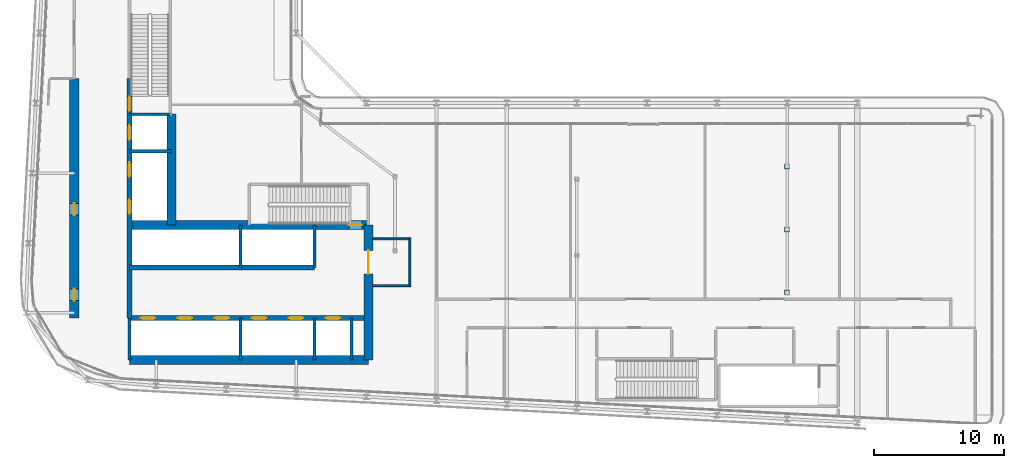
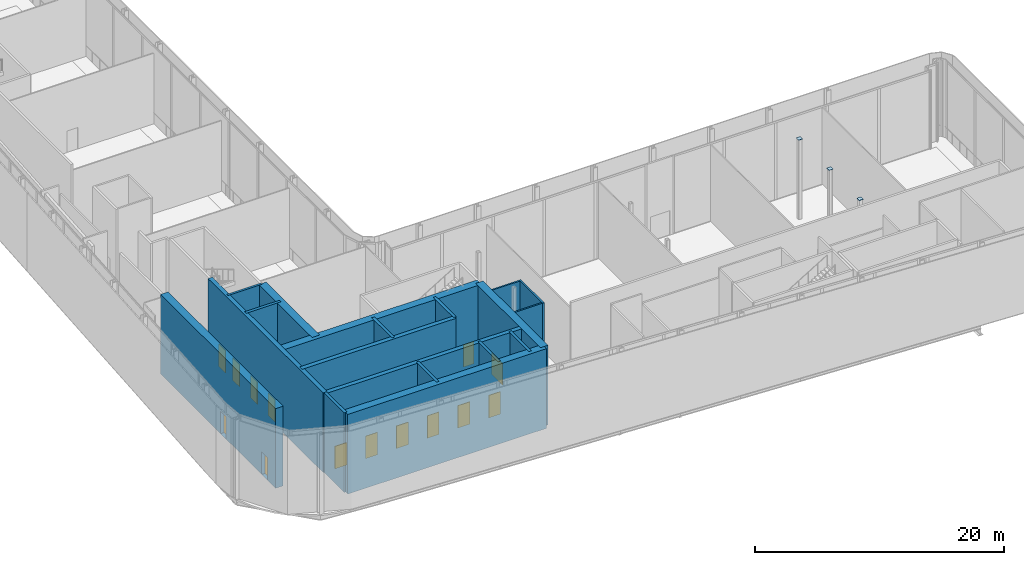
# One storey, part 26 of 38: 19 walls, 14 doors, 3 plates, 14 openings.
"""IFC4 building model written with IfcOpenShell, lengths in metres."""

from ifc_helpers import new_model, si_unit, direction, frame, frame_2d, origin, origin_2d, place, context, subcontext, project, spatial, rectangle, extrude, source, transform, mapped, material, layer, layer_set, type_object, element, fill, save


model = new_model("IFC4")

# Units and contexts
model_context = context("Model", 3, precision=1e-05, world=origin(), true_north=direction((0.0, 1.0)))
body_context = subcontext(model_context, "Body", "Model", "MODEL_VIEW")
ifc_project = project(units=[si_unit("LENGTHUNIT", "METRE"), si_unit("AREAUNIT", "SQUARE_METRE"), si_unit("VOLUMEUNIT", "CUBIC_METRE"), si_unit("PLANEANGLEUNIT", "RADIAN"), si_unit("MASSUNIT", "GRAM", prefix="KILO")], contexts=[model_context])

# Site, building, storey
site_placement = place(None, origin())
site = spatial("IfcSite", under=ifc_project, at=site_placement, CompositionType="ELEMENT")
building_placement = place(site_placement, origin())
building = spatial("IfcBuilding", under=site, at=building_placement, Name="Kheshtan School and Residences Tower", CompositionType="ELEMENT")
storey_placement = place(building_placement, frame((0.0, 0.0, 203.300048828125)))
storey = spatial("IfcBuildingStorey", under=building, at=storey_placement, Name="L48", CompositionType="ELEMENT", Elevation=203.300048828125)

# Plates
ifc_material_1 = material(Name="Steel ASTM A992 Grade 50", Category="steel")
ifc_layer_1 = layer(ifc_material_1, 0.02490234375)
ifc_layer_set_1 = layer_set([ifc_layer_1], Name="End plate 25 HSS 305x305x15.9 ASTM A992 Grade 50")
plate_type = type_object("IfcPlateType", Name="End plate 25 HSS 305x305x15.9 ASTM A992 Grade 50", PredefinedType="SHEET", material=ifc_layer_set_1)
for number, where, z_axis, x_axis, name in (
    (1, (85.39990234375, 31.0048828125, 7.800048828125), (0.0, 0.0, 1.0), (1.0, 0.0, 0.0), "End plate"),
    (2, (85.39990234375, 35.8701171875, 7.800048828125), (0.0, 0.0, 1.0), (1.0, 0.0, 0.0), "End plate"),
    (3, (85.39990234375, 40.735107421875, 7.800048828125), (0.0, 0.0, 1.0), (1.0, 0.0, 0.0), "End plate"),
):
    element("IfcPlate", number, at=place(storey_placement, frame(where, z_axis=z_axis, x_axis=x_axis)), inside=storey, type_object=plate_type, Name=name, PredefinedType="SHEET", context=body_context, shape_type="SweptSolid", body=[
        extrude(rectangle(XDim=0.385009765625, YDim=0.385009765625, at=origin_2d()), origin(), (0.0, 0.0, 1.0), 0.02490234375),
    ])

# Wall, openings, doors
ifc_material_2 = material(Name="Concrete C50/60", Category="concrete")
ifc_layer_2 = layer(ifc_material_2, 0.39990234375)
ifc_layer_set_2 = layer_set([ifc_layer_2], Name="Core wall 400 Concrete C50/60")
wall_type_1 = type_object("IfcWallType", Name="Core wall 400 Concrete C50/60", PredefinedType="SHEAR", material=ifc_layer_set_2)
wall_1_placement = place(storey_placement, frame((34.75, 29.050048828125, 0.0), z_axis=(0.0, 0.0, 1.0), x_axis=(1.0, 0.0, 0.0)))
wall_1 = element("IfcWall", 4, at=wall_1_placement, inside=storey, type_object=wall_type_1, Name="Core wall CW-HALL-S1", PredefinedType="SHEAR", context=body_context, shape_type="SweptSolid", body=[
    extrude(rectangle(XDim=18.39990234375, YDim=0.39990234375, at=frame_2d((9.199951171875, 0.0))), origin(), (0.0, 0.0, 1.0), 7.800048828125),
])
opening_1_placement = place(wall_1_placement, frame((0.875, 0.0, 0.0)))
opening_1 = element("IfcOpeningElement", 5, at=opening_1_placement, cuts=wall_1, Name="Opening LD", PredefinedType="OPENING", context=body_context, shape_type="SweptSolid", body=[
    extrude(rectangle(XDim=1.10009765625, YDim=2.199951171875, at=frame_2d((0.550048828125, 1.10009765625))), frame((0.0, 0.2099609375, 0.0), z_axis=(0.0, -1.0, 0.0), x_axis=(1.0, 0.0, 0.0)), (0.0, 0.0, 1.0), 0.419921875),
])
opening_2_placement = place(wall_1_placement, frame((3.72509765625, 0.0, 0.0)))
opening_2 = element("IfcOpeningElement", 6, at=opening_2_placement, cuts=wall_1, Name="Opening LD", PredefinedType="OPENING", context=body_context, shape_type="SweptSolid", body=[
    extrude(rectangle(XDim=1.10009765625, YDim=2.199951171875, at=frame_2d((0.550048828125, 1.10009765625))), frame((0.0, 0.2099609375, 0.0), z_axis=(0.0, -1.0, 0.0), x_axis=(1.0, 0.0, 0.0)), (0.0, 0.0, 1.0), 0.419921875),
])
opening_3_placement = place(wall_1_placement, frame((6.574951171875, 0.0, 0.0)))
opening_3 = element("IfcOpeningElement", 7, at=opening_3_placement, cuts=wall_1, Name="Opening LD", PredefinedType="OPENING", context=body_context, shape_type="SweptSolid", body=[
    extrude(rectangle(XDim=1.10009765625, YDim=2.199951171875, at=frame_2d((0.550048828125, 1.10009765625))), frame((0.0, 0.2099609375, 0.0), z_axis=(0.0, -1.0, 0.0), x_axis=(1.0, 0.0, 0.0)), (0.0, 0.0, 1.0), 0.419921875),
])
opening_4_placement = place(wall_1_placement, frame((9.425048828125, 0.0, 0.0)))
opening_4 = element("IfcOpeningElement", 8, at=opening_4_placement, cuts=wall_1, Name="Opening LD", PredefinedType="OPENING", context=body_context, shape_type="SweptSolid", body=[
    extrude(rectangle(XDim=1.10009765625, YDim=2.199951171875, at=frame_2d((0.550048828125, 1.10009765625))), frame((0.0, 0.2099609375, 0.0), z_axis=(0.0, -1.0, 0.0), x_axis=(1.0, 0.0, 0.0)), (0.0, 0.0, 1.0), 0.419921875),
])
opening_5_placement = place(wall_1_placement, frame((12.27490234375, 0.0, 0.0)))
opening_5 = element("IfcOpeningElement", 9, at=opening_5_placement, cuts=wall_1, Name="Opening LD", PredefinedType="OPENING", context=body_context, shape_type="SweptSolid", body=[
    extrude(rectangle(XDim=1.10009765625, YDim=2.199951171875, at=frame_2d((0.550048828125, 1.10009765625))), frame((0.0, 0.2099609375, 0.0), z_axis=(0.0, -1.0, 0.0), x_axis=(1.0, 0.0, 0.0)), (0.0, 0.0, 1.0), 0.419921875),
])
opening_6_placement = place(wall_1_placement, frame((15.125, 0.0, 0.0)))
opening_6 = element("IfcOpeningElement", 10, at=opening_6_placement, cuts=wall_1, Name="Opening LD", PredefinedType="OPENING", context=body_context, shape_type="SweptSolid", body=[
    extrude(rectangle(XDim=1.10009765625, YDim=2.199951171875, at=frame_2d((0.550048828125, 1.10009765625))), frame((0.0, 0.2099609375, 0.0), z_axis=(0.0, -1.0, 0.0), x_axis=(1.0, 0.0, 0.0)), (0.0, 0.0, 1.0), 0.419921875),
])
ifc_material_3 = material(Name="Stainless steel door leaves", Category="steel")
door_type_1 = type_object("IfcDoorType", Name="Lift landing door 1100", OperationType="SLIDING_TO_LEFT", PredefinedType="DOOR", material=ifc_material_3)
shared_shape_1 = source(origin(), body_context, "Body", "SweptSolid", [
    extrude(rectangle(XDim=1.10009765625, YDim=2.199951171875, at=frame_2d((0.550048828125, 1.10009765625))), frame((0.0, 0.02490234375, 0.0), z_axis=(0.0, -1.0, 0.0), x_axis=(1.0, 0.0, 0.0)), (0.0, 0.0, 1.0), 0.050048828125),
])
door_1_placement = place(opening_1_placement, origin())
door_1 = element("IfcDoor", 11, at=door_1_placement, inside=storey, type_object=door_type_1, Name="Lift P7 landing door", OperationType="SLIDING_TO_LEFT", OverallHeight=2.199951171875, OverallWidth=1.10009765625, PredefinedType="DOOR", context=body_context, shape_type="MappedRepresentation", body=[
    mapped(shared_shape_1, transform((0.0, 0.0, 0.0), x_axis=(1.0, 0.0, 0.0), y_axis=(0.0, 1.0, 0.0), z_axis=(0.0, 0.0, 1.0), scale=1.0)),
])
fill(opening_1, door_1)
door_2_placement = place(opening_2_placement, origin())
door_2 = element("IfcDoor", 12, at=door_2_placement, inside=storey, type_object=door_type_1, Name="Lift P8 landing door", OperationType="SLIDING_TO_LEFT", OverallHeight=2.199951171875, OverallWidth=1.10009765625, PredefinedType="DOOR", context=body_context, shape_type="MappedRepresentation", body=[
    mapped(shared_shape_1, transform((0.0, 0.0, 0.0), x_axis=(1.0, 0.0, 0.0), y_axis=(0.0, 1.0, 0.0), z_axis=(0.0, 0.0, 1.0), scale=1.0)),
])
fill(opening_2, door_2)
door_3_placement = place(opening_3_placement, origin())
door_3 = element("IfcDoor", 13, at=door_3_placement, inside=storey, type_object=door_type_1, Name="Lift P9 landing door", OperationType="SLIDING_TO_LEFT", OverallHeight=2.199951171875, OverallWidth=1.10009765625, PredefinedType="DOOR", context=body_context, shape_type="MappedRepresentation", body=[
    mapped(shared_shape_1, transform((0.0, 0.0, 0.0), x_axis=(1.0, 0.0, 0.0), y_axis=(0.0, 1.0, 0.0), z_axis=(0.0, 0.0, 1.0), scale=1.0)),
])
fill(opening_3, door_3)
door_4_placement = place(opening_4_placement, origin())
door_4 = element("IfcDoor", 14, at=door_4_placement, inside=storey, type_object=door_type_1, Name="Lift P10 landing door", OperationType="SLIDING_TO_LEFT", OverallHeight=2.199951171875, OverallWidth=1.10009765625, PredefinedType="DOOR", context=body_context, shape_type="MappedRepresentation", body=[
    mapped(shared_shape_1, transform((0.0, 0.0, 0.0), x_axis=(1.0, 0.0, 0.0), y_axis=(0.0, 1.0, 0.0), z_axis=(0.0, 0.0, 1.0), scale=1.0)),
])
fill(opening_4, door_4)
door_5_placement = place(opening_5_placement, origin())
door_5 = element("IfcDoor", 15, at=door_5_placement, inside=storey, type_object=door_type_1, Name="Lift P11 landing door", OperationType="SLIDING_TO_LEFT", OverallHeight=2.199951171875, OverallWidth=1.10009765625, PredefinedType="DOOR", context=body_context, shape_type="MappedRepresentation", body=[
    mapped(shared_shape_1, transform((0.0, 0.0, 0.0), x_axis=(1.0, 0.0, 0.0), y_axis=(0.0, 1.0, 0.0), z_axis=(0.0, 0.0, 1.0), scale=1.0)),
])
fill(opening_5, door_5)
door_6_placement = place(opening_6_placement, origin())
door_6 = element("IfcDoor", 16, at=door_6_placement, inside=storey, type_object=door_type_1, Name="Lift FFL2 landing door", OperationType="SLIDING_TO_LEFT", OverallHeight=2.199951171875, OverallWidth=1.10009765625, PredefinedType="DOOR", context=body_context, shape_type="MappedRepresentation", body=[
    mapped(shared_shape_1, transform((0.0, 0.0, 0.0), x_axis=(1.0, 0.0, 0.0), y_axis=(0.0, 1.0, 0.0), z_axis=(0.0, 0.0, 1.0), scale=1.0)),
])
fill(opening_6, door_6)

# Wall
wall_2_placement = place(storey_placement, frame((34.75, 32.949951171875, 0.0), z_axis=(0.0, 0.0, 1.0), x_axis=(1.0, 0.0, 0.0)))
element("IfcWall", 17, at=wall_2_placement, inside=storey, type_object=wall_type_1, Name="Core wall CW-HALL-S2", PredefinedType="SHEAR", context=body_context, shape_type="SweptSolid", body=[
    extrude(rectangle(XDim=14.25, YDim=0.39990234375, at=frame_2d((7.125, 0.0))), origin(), (0.0, 0.0, 1.0), 7.800048828125),
])

# Wall, openings, doors
wall_3_placement = place(storey_placement, frame((34.75, 29.050048828125, 0.0), z_axis=(0.0, 0.0, 1.0), x_axis=(0.0, 1.0, 0.0)))
wall_3 = element("IfcWall", 18, at=wall_3_placement, inside=storey, type_object=wall_type_1, Name="Core wall CW-HALL-W1", PredefinedType="SHEAR", context=body_context, shape_type="SweptSolid", body=[
    extrude(rectangle(XDim=18.449951171875, YDim=0.39990234375, at=frame_2d((9.22509765625, 0.0))), origin(), (0.0, 0.0, 1.0), 7.800048828125),
])
opening_7_placement = place(wall_3_placement, frame((8.02490234375, 0.0, 0.0)))
opening_7 = element("IfcOpeningElement", 19, at=opening_7_placement, cuts=wall_3, Name="Opening LD", PredefinedType="OPENING", context=body_context, shape_type="SweptSolid", body=[
    extrude(rectangle(XDim=1.10009765625, YDim=2.199951171875, at=frame_2d((0.550048828125, 1.10009765625))), frame((0.0, 0.2099609375, 0.0), z_axis=(0.0, -1.0, 0.0), x_axis=(1.0, 0.0, 0.0)), (0.0, 0.0, 1.0), 0.419921875),
])
opening_8_placement = place(wall_3_placement, frame((10.875, 0.0, 0.0)))
opening_8 = element("IfcOpeningElement", 20, at=opening_8_placement, cuts=wall_3, Name="Opening LD", PredefinedType="OPENING", context=body_context, shape_type="SweptSolid", body=[
    extrude(rectangle(XDim=1.10009765625, YDim=2.199951171875, at=frame_2d((0.550048828125, 1.10009765625))), frame((0.0, 0.2099609375, 0.0), z_axis=(0.0, -1.0, 0.0), x_axis=(1.0, 0.0, 0.0)), (0.0, 0.0, 1.0), 0.419921875),
])
opening_9_placement = place(wall_3_placement, frame((13.72509765625, 0.0, 0.0)))
opening_9 = element("IfcOpeningElement", 21, at=opening_9_placement, cuts=wall_3, Name="Opening LD", PredefinedType="OPENING", context=body_context, shape_type="SweptSolid", body=[
    extrude(rectangle(XDim=1.10009765625, YDim=2.199951171875, at=frame_2d((0.550048828125, 1.10009765625))), frame((0.0, 0.2099609375, 0.0), z_axis=(0.0, -1.0, 0.0), x_axis=(1.0, 0.0, 0.0)), (0.0, 0.0, 1.0), 0.419921875),
])
opening_10_placement = place(wall_3_placement, frame((15.949951171875, 0.0, 0.0)))
opening_10 = element("IfcOpeningElement", 22, at=opening_10_placement, cuts=wall_3, Name="Opening ST2D", PredefinedType="OPENING", context=body_context, shape_type="SweptSolid", body=[
    extrude(rectangle(XDim=1.10009765625, YDim=2.199951171875, at=frame_2d((0.550048828125, 1.10009765625))), frame((0.0, 0.2099609375, 0.0), z_axis=(0.0, -1.0, 0.0), x_axis=(1.0, 0.0, 0.0)), (0.0, 0.0, 1.0), 0.419921875),
])
door_7_placement = place(opening_7_placement, origin())
door_7 = element("IfcDoor", 23, at=door_7_placement, inside=storey, type_object=door_type_1, Name="Lift SV1 landing door", OperationType="SLIDING_TO_LEFT", OverallHeight=2.199951171875, OverallWidth=1.10009765625, PredefinedType="DOOR", context=body_context, shape_type="MappedRepresentation", body=[
    mapped(shared_shape_1, transform((0.0, 0.0, 0.0), x_axis=(1.0, 0.0, 0.0), y_axis=(0.0, 1.0, 0.0), z_axis=(0.0, 0.0, 1.0), scale=1.0)),
])
fill(opening_7, door_7)
door_8_placement = place(opening_8_placement, origin())
door_8 = element("IfcDoor", 24, at=door_8_placement, inside=storey, type_object=door_type_1, Name="Lift SV2 landing door", OperationType="SLIDING_TO_LEFT", OverallHeight=2.199951171875, OverallWidth=1.10009765625, PredefinedType="DOOR", context=body_context, shape_type="MappedRepresentation", body=[
    mapped(shared_shape_1, transform((0.0, 0.0, 0.0), x_axis=(1.0, 0.0, 0.0), y_axis=(0.0, 1.0, 0.0), z_axis=(0.0, 0.0, 1.0), scale=1.0)),
])
fill(opening_8, door_8)
door_9_placement = place(opening_9_placement, origin())
door_9 = element("IfcDoor", 25, at=door_9_placement, inside=storey, type_object=door_type_1, Name="Lift FFL1 landing door", OperationType="SLIDING_TO_LEFT", OverallHeight=2.199951171875, OverallWidth=1.10009765625, PredefinedType="DOOR", context=body_context, shape_type="MappedRepresentation", body=[
    mapped(shared_shape_1, transform((0.0, 0.0, 0.0), x_axis=(1.0, 0.0, 0.0), y_axis=(0.0, 1.0, 0.0), z_axis=(0.0, 0.0, 1.0), scale=1.0)),
])
fill(opening_9, door_9)
ifc_material_4 = material(Name="Steel door leaf, galvanised", Category="steel")
door_type_2 = type_object("IfcDoorType", Name="Stair door 1100 steel 90 min", OperationType="SINGLE_SWING_LEFT", PredefinedType="DOOR", material=ifc_material_4)
shared_shape_2 = source(origin(), body_context, "Body", "SweptSolid", [
    extrude(rectangle(XDim=1.10009765625, YDim=2.199951171875, at=frame_2d((0.550048828125, 1.10009765625))), frame((0.0, 0.02490234375, 0.0), z_axis=(0.0, -1.0, 0.0), x_axis=(1.0, 0.0, 0.0)), (0.0, 0.0, 1.0), 0.050048828125),
])
door_10_placement = place(opening_10_placement, origin())
door_10 = element("IfcDoor", 26, at=door_10_placement, inside=storey, type_object=door_type_2, Name="Stair ST2 door", OperationType="SINGLE_SWING_RIGHT", OverallHeight=2.199951171875, OverallWidth=1.10009765625, PredefinedType="DOOR", context=body_context, shape_type="MappedRepresentation", body=[
    mapped(shared_shape_2, transform((0.0, 0.0, 0.0), x_axis=(1.0, 0.0, 0.0), y_axis=(0.0, 1.0, 0.0), z_axis=(0.0, 0.0, 1.0), scale=1.0)),
])
fill(opening_10, door_10)

# Wall
ifc_material_5 = material(Name="Concrete C70/85", Category="concrete")
ifc_layer_3 = layer(ifc_material_5, 0.699951171875)
ifc_layer_set_3 = layer_set([ifc_layer_3], Name="Core wall 700 Concrete C70/85")
wall_type_2 = type_object("IfcWallType", Name="Core wall 700 Concrete C70/85", PredefinedType="SHEAR", material=ifc_layer_set_3)
wall_4_placement = place(storey_placement, frame((34.75, 25.800048828125, 0.0), z_axis=(0.0, 0.0, 1.0), x_axis=(1.0, 0.0, 0.0)))
element("IfcWall", 27, at=wall_4_placement, inside=storey, type_object=wall_type_2, Name="Core wall CW-REAR-S", PredefinedType="SHEAR", context=body_context, shape_type="SweptSolid", body=[
    extrude(rectangle(XDim=18.39990234375, YDim=0.699951171875, at=frame_2d((9.199951171875, 0.0))), origin(), (0.0, 0.0, 1.0), 7.800048828125),
])

# Wall, opening, door
wall_5_placement = place(storey_placement, frame((34.75, 36.199951171875, 0.0), z_axis=(0.0, 0.0, 1.0), x_axis=(1.0, 0.0, 0.0)))
wall_5 = element("IfcWall", 28, at=wall_5_placement, inside=storey, type_object=wall_type_2, Name="Core wall CW-FRONT-S", PredefinedType="SHEAR", context=body_context, shape_type="SweptSolid", body=[
    extrude(rectangle(XDim=18.39990234375, YDim=0.699951171875, at=frame_2d((9.199951171875, 0.0))), origin(), (0.0, 0.0, 1.0), 7.800048828125),
])
opening_11_placement = place(wall_5_placement, frame((16.89990234375, 0.0, 0.0)))
opening_11 = element("IfcOpeningElement", 29, at=opening_11_placement, cuts=wall_5, Name="Opening ST1D", PredefinedType="OPENING", context=body_context, shape_type="SweptSolid", body=[
    extrude(rectangle(XDim=1.0, YDim=2.199951171875, at=frame_2d((0.5, 1.10009765625))), frame((0.0, 0.35986328125, 0.0), z_axis=(0.0, -1.0, 0.0), x_axis=(1.0, 0.0, 0.0)), (0.0, 0.0, 1.0), 0.719970703125),
])
shared_shape_3 = source(origin(), body_context, "Body", "SweptSolid", [
    extrude(rectangle(XDim=1.0, YDim=2.199951171875, at=frame_2d((0.5, 1.10009765625))), frame((0.0, 0.02490234375, 0.0), z_axis=(0.0, -1.0, 0.0), x_axis=(1.0, 0.0, 0.0)), (0.0, 0.0, 1.0), 0.050048828125),
])
door_11_placement = place(opening_11_placement, origin())
door_11 = element("IfcDoor", 30, at=door_11_placement, inside=storey, type_object=door_type_2, Name="Stair ST1 door", OperationType="SINGLE_SWING_RIGHT", OverallHeight=2.199951171875, OverallWidth=1.0, PredefinedType="DOOR", context=body_context, shape_type="MappedRepresentation", body=[
    mapped(shared_shape_3, transform((0.0, 0.0, 0.0), x_axis=(1.0, 0.0, 0.0), y_axis=(0.0, 1.0, 0.0), z_axis=(0.0, 0.0, 1.0), scale=1.0)),
])
fill(opening_11, door_11)

# Wall
wall_6_placement = place(storey_placement, frame((38.0, 36.199951171875, 0.0), z_axis=(0.0, 0.0, 1.0), x_axis=(0.0, 1.0, 0.0)))
element("IfcWall", 31, at=wall_6_placement, inside=storey, type_object=wall_type_2, Name="Core wall CW-FRONT-W", PredefinedType="SHEAR", context=body_context, shape_type="SweptSolid", body=[
    extrude(rectangle(XDim=8.550048828125, YDim=0.699951171875, at=frame_2d((4.27490234375, 0.0))), origin(), (0.0, 0.0, 1.0), 7.800048828125),
])

# Wall, openings, doors
wall_7_placement = place(storey_placement, frame((30.5, 29.050048828125, 0.0), z_axis=(0.0, 0.0, 1.0), x_axis=(0.0, 1.0, 0.0)))
wall_7 = element("IfcWall", 32, at=wall_7_placement, inside=storey, type_object=wall_type_2, Name="Core wall CW-REAR-W", PredefinedType="SHEAR", context=body_context, shape_type="SweptSolid", body=[
    extrude(rectangle(XDim=18.449951171875, YDim=0.699951171875, at=frame_2d((9.22509765625, 0.0))), origin(), (0.0, 0.0, 1.0), 7.800048828125),
])
opening_12_placement = place(wall_7_placement, frame((1.340087890625, 0.0, 0.0)))
opening_12 = element("IfcOpeningElement", 33, at=opening_12_placement, cuts=wall_7, Name="Opening SR90", PredefinedType="OPENING", context=body_context, shape_type="SweptSolid", body=[
    extrude(rectangle(XDim=0.89990234375, YDim=2.199951171875, at=frame_2d((0.449951171875, 1.10009765625))), frame((0.0, 0.35986328125, 0.0), z_axis=(0.0, -1.0, 0.0), x_axis=(1.0, 0.0, 0.0)), (0.0, 0.0, 1.0), 0.719970703125),
])
opening_13_placement = place(wall_7_placement, frame((7.925048828125, 0.0, 0.0)))
opening_13 = element("IfcOpeningElement", 34, at=opening_13_placement, cuts=wall_7, Name="Opening SR90", PredefinedType="OPENING", context=body_context, shape_type="SweptSolid", body=[
    extrude(rectangle(XDim=0.89990234375, YDim=2.199951171875, at=frame_2d((0.449951171875, 1.10009765625))), frame((0.0, 0.35986328125, 0.0), z_axis=(0.0, -1.0, 0.0), x_axis=(1.0, 0.0, 0.0)), (0.0, 0.0, 1.0), 0.719970703125),
])
door_type_3 = type_object("IfcDoorType", Name="Service room door 900 steel 90 min", OperationType="SINGLE_SWING_LEFT", PredefinedType="DOOR", material=ifc_material_4)
shared_shape_4 = source(origin(), body_context, "Body", "SweptSolid", [
    extrude(rectangle(XDim=0.89990234375, YDim=2.199951171875, at=frame_2d((0.449951171875, 1.10009765625))), frame((0.0, 0.02490234375, 0.0), z_axis=(0.0, -1.0, 0.0), x_axis=(1.0, 0.0, 0.0)), (0.0, 0.0, 1.0), 0.050048828125),
])
door_12_placement = place(opening_12_placement, origin())
door_12 = element("IfcDoor", 35, at=door_12_placement, inside=storey, type_object=door_type_3, Name="Service room door", OperationType="SINGLE_SWING_LEFT", OverallHeight=2.199951171875, OverallWidth=0.89990234375, PredefinedType="DOOR", context=body_context, shape_type="MappedRepresentation", body=[
    mapped(shared_shape_4, transform((0.0, 0.0, 0.0), x_axis=(1.0, 0.0, 0.0), y_axis=(0.0, 1.0, 0.0), z_axis=(0.0, 0.0, 1.0), scale=1.0)),
])
fill(opening_12, door_12)
door_13_placement = place(opening_13_placement, origin())
door_13 = element("IfcDoor", 36, at=door_13_placement, inside=storey, type_object=door_type_3, Name="Service room door", OperationType="SINGLE_SWING_LEFT", OverallHeight=2.199951171875, OverallWidth=0.89990234375, PredefinedType="DOOR", context=body_context, shape_type="MappedRepresentation", body=[
    mapped(shared_shape_4, transform((0.0, 0.0, 0.0), x_axis=(1.0, 0.0, 0.0), y_axis=(0.0, 1.0, 0.0), z_axis=(0.0, 0.0, 1.0), scale=1.0)),
])
fill(opening_13, door_13)

# Wall, opening, door
wall_8_placement = place(storey_placement, frame((53.14990234375, 25.800048828125, 0.0), z_axis=(0.0, 0.0, 1.0), x_axis=(0.0, 1.0, 0.0)))
wall_8 = element("IfcWall", 37, at=wall_8_placement, inside=storey, type_object=wall_type_2, Name="Core wall CW-EAST", PredefinedType="SHEAR", context=body_context, shape_type="SweptSolid", body=[
    extrude(rectangle(XDim=10.39990234375, YDim=0.699951171875, at=frame_2d((5.199951171875, 0.0))), origin(), (0.0, 0.0, 1.0), 7.800048828125),
])
opening_14_placement = place(wall_8_placement, frame((6.64990234375, 0.0, 0.0)))
opening_14 = element("IfcOpeningElement", 38, at=opening_14_placement, cuts=wall_8, Name="Opening D48-001", PredefinedType="OPENING", context=body_context, shape_type="SweptSolid", body=[
    extrude(rectangle(XDim=1.800048828125, YDim=2.10009765625, at=frame_2d((0.89990234375, 1.050048828125))), frame((0.0, 0.35986328125, 0.0), z_axis=(0.0, -1.0, 0.0), x_axis=(1.0, 0.0, 0.0)), (0.0, 0.0, 1.0), 0.719970703125),
])
ifc_material_6 = material(Name="Steel-framed fire-resisting door leaf", Category="steel")
door_type_4 = type_object("IfcDoorType", Name="Fire double door FD120 1800 x 2100", OperationType="DOUBLE_DOOR_SINGLE_SWING", PredefinedType="DOOR", material=ifc_material_6)
shared_shape_5 = source(origin(), body_context, "Body", "SweptSolid", [
    extrude(rectangle(XDim=1.800048828125, YDim=2.10009765625, at=frame_2d((0.89990234375, 1.050048828125))), frame((0.0, 0.02490234375, 0.0), z_axis=(0.0, -1.0, 0.0), x_axis=(1.0, 0.0, 0.0)), (0.0, 0.0, 1.0), 0.050048828125),
])
door_14_placement = place(opening_14_placement, origin())
door_14 = element("IfcDoor", 39, at=door_14_placement, inside=storey, type_object=door_type_4, Name="Door D48-001", OperationType="DOUBLE_DOOR_SINGLE_SWING", OverallHeight=2.10009765625, OverallWidth=1.800048828125, PredefinedType="DOOR", context=body_context, shape_type="MappedRepresentation", body=[
    mapped(shared_shape_5, transform((0.0, 0.0, 0.0), x_axis=(1.0, 0.0, 0.0), y_axis=(0.0, 1.0, 0.0), z_axis=(0.0, 0.0, 1.0), scale=1.0)),
])
fill(opening_14, door_14)

# Walls
ifc_material_7 = material(Name="Fire-board shaft wall system")
ifc_layer_4 = layer(ifc_material_7, 0.25)
ifc_layer_set_4 = layer_set([ifc_layer_4], Name="Shaft lining wall 250")
wall_type_3 = type_object("IfcWallType", Name="Shaft lining wall 250", PredefinedType="PARTITIONING", material=ifc_layer_set_4)
for number, where, z_axis, x_axis, name in (
    (40, (34.75, 25.800048828125, 0.0), (0.0, 0.0, 1.0), (0.0, 1.0, 0.0), "Shaft lining wall"),
    (41, (43.300048828125, 25.800048828125, 0.0), (0.0, 0.0, 1.0), (0.0, 1.0, 0.0), "Shaft lining wall"),
    (42, (43.300048828125, 32.949951171875, 0.0), (0.0, 0.0, 1.0), (0.0, 1.0, 0.0), "Shaft lining wall"),
    (43, (49.0, 25.800048828125, 0.0), (0.0, 0.0, 1.0), (0.0, 1.0, 0.0), "Shaft lining wall"),
    (44, (49.0, 32.949951171875, 0.0), (0.0, 0.0, 1.0), (0.0, 1.0, 0.0), "Shaft lining wall"),
    (45, (51.85009765625, 25.800048828125, 0.0), (0.0, 0.0, 1.0), (0.0, 1.0, 0.0), "Shaft lining wall"),
    (46, (34.75, 41.89990234375, 0.0), (0.0, 0.0, 1.0), (1.0, 0.0, 0.0), "Shaft lining wall"),
):
    element("IfcWall", number, at=place(storey_placement, frame(where, z_axis=z_axis, x_axis=x_axis)), inside=storey, type_object=wall_type_3, Name=name, PredefinedType="PARTITIONING", context=body_context, shape_type="SweptSolid", body=[
        extrude(rectangle(XDim=3.25, YDim=0.25, at=frame_2d((1.625, 0.0))), origin(), (0.0, 0.0, 1.0), 7.800048828125),
    ])
ifc_material_8 = material(Name="Concrete C40/50", Category="concrete")
ifc_layer_5 = layer(ifc_material_8, 0.199951171875)
ifc_layer_set_5 = layer_set([ifc_layer_5], Name="Stair enclosure wall 200 Concrete C40/50")
wall_type_4 = type_object("IfcWallType", Name="Stair enclosure wall 200 Concrete C40/50", PredefinedType="SHEAR", material=ifc_layer_set_5)
wall_9_placement = place(storey_placement, frame((34.75, 44.75, 0.0), z_axis=(0.0, 0.0, 1.0), x_axis=(1.0, 0.0, 0.0)))
element("IfcWall", 47, at=wall_9_placement, inside=storey, type_object=wall_type_4, Name="Stair enclosure wall ST2", PredefinedType="SHEAR", context=body_context, shape_type="SweptSolid", body=[
    extrude(rectangle(XDim=3.14990234375, YDim=0.199951171875, at=frame_2d((1.574951171875, 0.0))), origin(), (0.0, 0.0, 1.0), 7.800048828125),
])
ifc_material_9 = material(Name="Moisture-resistant gypsum board on steel studs", Category="steel")
ifc_layer_6 = layer(ifc_material_9, 0.14990234375)
ifc_layer_set_6 = layer_set([ifc_layer_6], Name="Wet-room partition 150")
wall_type_5 = type_object("IfcWallType", Name="Wet-room partition 150", PredefinedType="PARTITIONING", material=ifc_layer_set_6)
for number, where, z_axis, x_axis, name in (
    (48, (53.4990234375, 31.550048828125, 0.0), (0.0, 0.0, 1.0), (1.0, 0.0, 0.0), "Partition L48-026"),
    (49, (53.4990234375, 35.14990234375, 0.0), (0.0, 0.0, 1.0), (1.0, 0.0, 0.0), "Partition L48-027"),
):
    element("IfcWall", number, at=place(storey_placement, frame(where, z_axis=z_axis, x_axis=x_axis)), inside=storey, type_object=wall_type_5, Name=name, PredefinedType="PARTITIONING", context=body_context, shape_type="SweptSolid", body=[
        extrude(rectangle(XDim=2.77587890625, YDim=0.14990234375, at=frame_2d((1.387939453125, 0.0))), origin(), (0.0, 0.0, 1.0), 7.5),
    ])
wall_10_placement = place(storey_placement, frame((56.35009765625, 31.47509765625, 0.0), z_axis=(0.0, 0.0, 1.0), x_axis=(0.0, 1.0, 0.0)))
element("IfcWall", 50, at=wall_10_placement, inside=storey, type_object=wall_type_5, Name="Partition L48-028", PredefinedType="PARTITIONING", context=body_context, shape_type="SweptSolid", body=[
    extrude(rectangle(XDim=3.75, YDim=0.14990234375, at=frame_2d((1.875, 0.0))), origin(), (0.0, 0.0, 1.0), 7.5),
])

save(model, "model.ifc")
